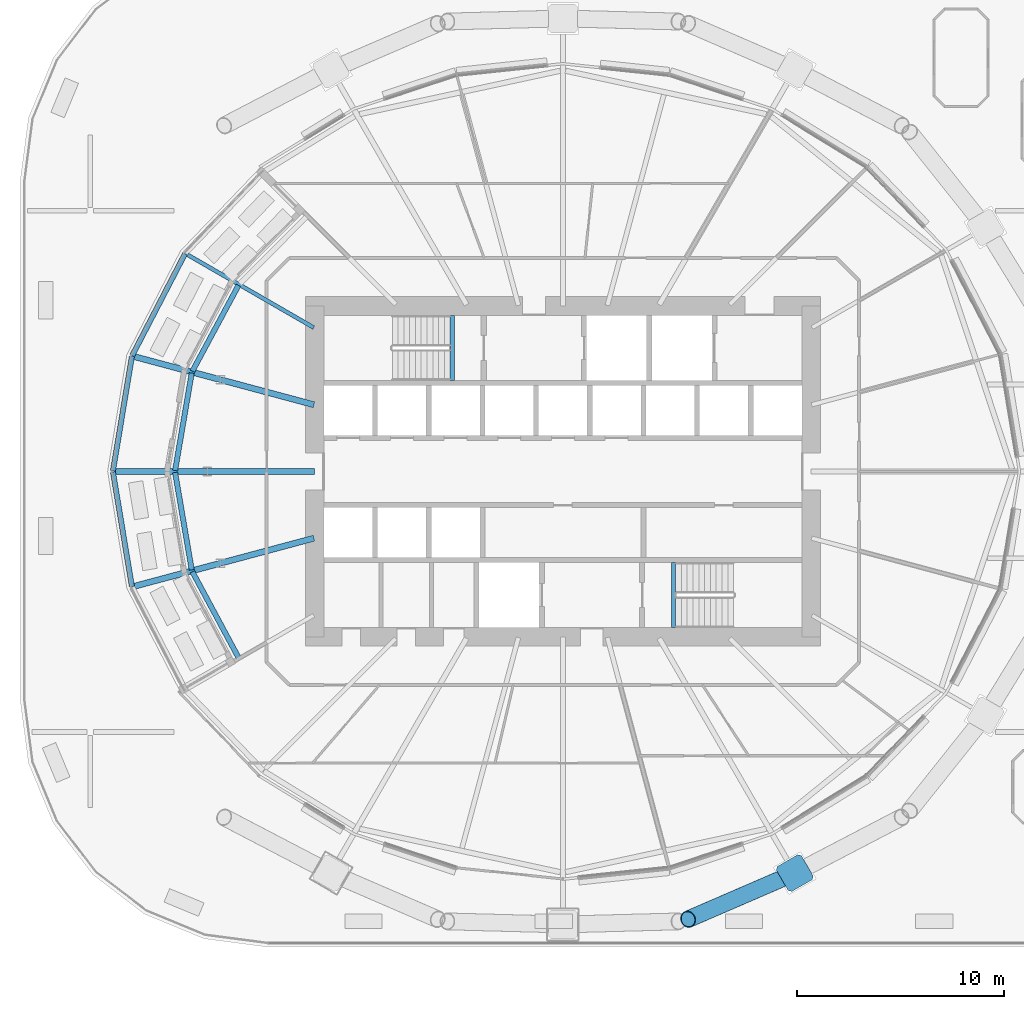
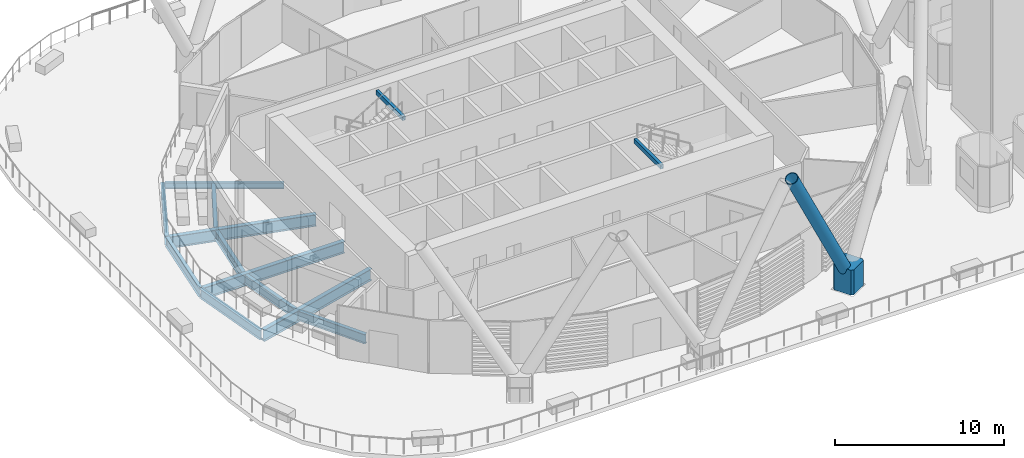
# One storey, part 5 of 47: 13 beams, 2 members.
"""IFC4 building model written with IfcOpenShell, lengths in metres."""

from ifc_helpers import new_model, si_unit, direction, frame, origin, origin_2d, place, context, subcontext, project, spatial, polyline, hollow_rectangle, hollow_circle, i_section, outline, extrude, material, material_profile, profile_set, type_object, element, save


model = new_model("IFC4")

# Units and contexts
model_context = context("Model", 3, precision=1e-05, world=origin(), true_north=direction((0.0, 1.0)))
body_context = subcontext(model_context, "Body", "Model", "MODEL_VIEW")
ifc_project = project(units=[si_unit("LENGTHUNIT", "METRE"), si_unit("AREAUNIT", "SQUARE_METRE"), si_unit("VOLUMEUNIT", "CUBIC_METRE"), si_unit("PLANEANGLEUNIT", "RADIAN"), si_unit("MASSUNIT", "GRAM", prefix="KILO")], contexts=[model_context])

# Site, building, storey
site_placement = place(None, origin())
site = spatial("IfcSite", under=ifc_project, at=site_placement, CompositionType="ELEMENT")
building_placement = place(site_placement, origin())
building = spatial("IfcBuilding", under=site, at=building_placement, Name="Rimbun Link Towers", CompositionType="ELEMENT")
storey_placement = place(building_placement, frame((0.0, 0.0, 30.0)))
storey = spatial("IfcBuildingStorey", under=building, at=storey_placement, Name="L06", CompositionType="ELEMENT", Elevation=30.0)

# Members
ifc_material_1 = material(Name="Steel S460NH", Category="steel")
ifc_material_profile_1 = material_profile(ifc_material_1, hollow_circle(Radius=0.406494140625, WallThickness=0.0400390625, at=origin_2d()), Name="Diagrid diagonal CHS 813x40")
ifc_profile_set_1 = profile_set([ifc_material_profile_1], Name="Steel S460NH")
member_type_1 = type_object("IfcMemberType", Name="Diagrid diagonal CHS 813x40", PredefinedType="BRACE", material=ifc_profile_set_1)
member_1_placement = place(storey_placement, frame((-20.7626953125, -19.514892578125, 1.33642578125), z_axis=(-0.447630338093, -0.193694931894, 0.872988747795), x_axis=(0.397127145688, -0.917763602546, 0.0)))
element("IfcMember", 1, at=member_1_placement, inside=storey, type_object=member_type_1, Name="Diagrid diagonal T1 L06-L09 20a", PredefinedType="BRACE", context=body_context, shape_type="SweptSolid", body=[
    extrude(hollow_circle(Radius=0.406494140625, WallThickness=0.0400390625, at=origin_2d()), origin(), (0.0, 0.0, 1.0), 11.027587890625),
])
ifc_material_2 = material(Name="Cast steel G20Mn5+QT, Rp0.2 300 MPa", Category="steel")
ifc_material_profile_2 = material_profile(ifc_material_2, outline(polyline([(0.699951171875, -0.570068359375), (0.699951171875, 0.570068359375), (0.570068359375, 0.699951171875), (-0.570068359375, 0.699951171875), (-0.699951171875, 0.570068359375), (-0.699951171875, -0.570068359375), (-0.570068359375, -0.699951171875), (0.570068359375, -0.699951171875), (0.699951171875, -0.570068359375)])), Name="NODE 1400x1400")
ifc_profile_set_2 = profile_set([ifc_material_profile_2], Name="Cast steel G20Mn5+QT, Rp0.2 300 MPa")
member_type_2 = type_object("IfcMemberType", Name="Diagrid node cast 1400", PredefinedType="USERDEFINED", material=ifc_profile_set_2)
member_2_placement = place(storey_placement, frame((-20.538818359375, -19.418212890625, 0.0), z_axis=(0.0, 0.0, 1.0), x_axis=(0.5, -0.866025403784, 0.0)))
element("IfcMember", 2, at=member_2_placement, inside=storey, type_object=member_type_2, Name="Diagrid node L06 20", ObjectType="Diagrid node", PredefinedType="USERDEFINED", context=body_context, shape_type="SweptSolid", body=[
    extrude(outline(polyline([(0.699951171875, -0.570068359375), (0.699951171875, 0.570068359375), (0.570068359375, 0.699951171875), (-0.570068359375, 0.699951171875), (-0.699951171875, 0.570068359375), (-0.699951171875, -0.570068359375), (-0.570068359375, -0.699951171875), (0.570068359375, -0.699951171875), (0.699951171875, -0.570068359375)])), origin(), (0.0, 0.0, 1.0), 1.800048828125),
])

# Beams
ifc_material_3 = material(Name="Steel S355J2", Category="steel")
ifc_material_profile_3 = material_profile(ifc_material_3, hollow_rectangle(XDim=0.199951171875, YDim=0.300048828125, WallThickness=0.011962890625, at=origin_2d()), Name="BOX 300x200x12")
ifc_profile_set_3 = profile_set([ifc_material_profile_3], Name="Steel S355J2")
beam_type_1 = type_object("IfcBeamType", Name="Stair trimmer beam BOX 300x200x12", PredefinedType="BEAM", material=ifc_profile_set_3)
for number, where, z_axis, x_axis, name in (
    (3, (-37.10009765625, 7.550048828125, 3.489990234375), (0.0, -1.0, 0.0), (1.0, 0.0, 0.0), "L06 ST1 stair beam 1"),
    (4, (-26.39990234375, -7.550048828125, 3.489990234375), (0.0, 1.0, 0.0), (-1.0, 0.0, 0.0), "L06 ST2 stair beam 1"),
):
    element("IfcBeam", number, at=place(storey_placement, frame(where, z_axis=z_axis, x_axis=x_axis)), inside=storey, type_object=beam_type_1, Name=name, PredefinedType="BEAM", context=body_context, shape_type="SweptSolid", body=[
        extrude(hollow_rectangle(XDim=0.199951171875, YDim=0.300048828125, WallThickness=0.011962890625, at=origin_2d()), origin(), (0.0, 0.0, 1.0), 3.150146484375),
    ])
ifc_material_4 = material(Name="Steel S355J2", Category="steel")
ifc_material_profile_4 = material_profile(ifc_material_4, i_section(OverallWidth=0.18994140625, OverallDepth=0.453369140625, WebThickness=0.008544921875, FlangeThickness=0.0126953125, at=origin_2d()), Name="UB 457x191x67")
ifc_profile_set_4 = profile_set([ifc_material_profile_4], Name="Steel S355J2")
beam_type_2 = type_object("IfcBeamType", Name="UB 457x191x67", PredefinedType="BEAM", material=ifc_profile_set_4)
beam_1_placement = place(storey_placement, frame((-43.79833984375, 6.9560546875, -0.526611328125), z_axis=(-0.866023453068, 0.500003378725, 0.0), x_axis=(-0.500003378725, -0.866023453068, 0.0)))
element("IfcBeam", 5, at=beam_1_placement, inside=storey, type_object=beam_type_2, Name="Radial beam T1 L06 10", PredefinedType="BEAM", context=body_context, shape_type="SweptSolid", body=[
    extrude(i_section(OverallWidth=0.18994140625, OverallDepth=0.453369140625, WebThickness=0.008544921875, FlangeThickness=0.0126953125, at=origin_2d()), origin(), (0.0, 0.0, 1.0), 7.04638671875),
])
ifc_material_5 = material(Name="Steel S355J2", Category="steel")
ifc_material_profile_5 = material_profile(ifc_material_5, i_section(OverallWidth=0.253662109375, OverallDepth=0.68359375, WebThickness=0.012451171875, FlangeThickness=0.01904296875, at=origin_2d()), Name="UB 686x254x140")
ifc_profile_set_5 = profile_set([ifc_material_profile_5], Name="Steel S355J2")
beam_type_3 = type_object("IfcBeamType", Name="UB 686x254x140", PredefinedType="BEAM", material=ifc_profile_set_5)
beam_2_placement = place(storey_placement, frame((-47.4375, 8.996826171875, -0.641845703125), z_axis=(-0.473122165073, -0.880996831389, 0.0), x_axis=(0.880996831389, -0.473122165073, 0.0)))
element("IfcBeam", 6, at=beam_2_placement, inside=storey, type_object=beam_type_3, Name="Edge beam T1 L06 10 recess", PredefinedType="BEAM", context=body_context, shape_type="SweptSolid", body=[
    extrude(i_section(OverallWidth=0.253662109375, OverallDepth=0.68359375, WebThickness=0.012451171875, FlangeThickness=0.01904296875, at=origin_2d()), origin(), (0.0, 0.0, 1.0), 4.70703125),
])
beam_3_placement = place(storey_placement, frame((-50.020751953125, 10.5263671875, -0.641845703125), z_axis=(-0.460697296519, -0.887557322645, 0.0), x_axis=(0.887557322645, -0.460697296519, 0.0)))
element("IfcBeam", 7, at=beam_3_placement, inside=storey, type_object=beam_type_3, Name="Edge beam T1 L06 10 terrace", PredefinedType="BEAM", context=body_context, shape_type="SweptSolid", body=[
    extrude(i_section(OverallWidth=0.253662109375, OverallDepth=0.68359375, WebThickness=0.012451171875, FlangeThickness=0.01904296875, at=origin_2d()), origin(), (0.0, 0.0, 1.0), 5.54833984375),
])
beam_4_placement = place(storey_placement, frame((-49.6962890625, 4.7578125, -0.641845703125), z_axis=(-0.168399384391, -0.985718848017, 0.0), x_axis=(0.985718848017, -0.168399384391, 0.0)))
element("IfcBeam", 8, at=beam_4_placement, inside=storey, type_object=beam_type_3, Name="Edge beam T1 L06 11 recess", PredefinedType="BEAM", context=body_context, shape_type="SweptSolid", body=[
    extrude(i_section(OverallWidth=0.253662109375, OverallDepth=0.68359375, WebThickness=0.012451171875, FlangeThickness=0.01904296875, at=origin_2d()), origin(), (0.0, 0.0, 1.0), 4.778564453125),
])
beam_5_placement = place(storey_placement, frame((-52.590087890625, 5.562255859375, -0.641845703125), z_axis=(-0.163073449267, -0.986613931659, 0.0), x_axis=(0.986613931659, -0.163073449267, 0.0)))
element("IfcBeam", 9, at=beam_5_placement, inside=storey, type_object=beam_type_3, Name="Edge beam T1 L06 11 terrace", PredefinedType="BEAM", context=body_context, shape_type="SweptSolid", body=[
    extrude(i_section(OverallWidth=0.253662109375, OverallDepth=0.68359375, WebThickness=0.012451171875, FlangeThickness=0.01904296875, at=origin_2d()), origin(), (0.0, 0.0, 1.0), 5.61572265625),
])
beam_6_placement = place(storey_placement, frame((-50.5009765625, -0.047607421875, -0.641845703125), z_axis=(0.168399384391, -0.985718848017, 0.0), x_axis=(0.985718848017, 0.168399384391, 0.0)))
element("IfcBeam", 10, at=beam_6_placement, inside=storey, type_object=beam_type_3, Name="Edge beam T1 L06 12 recess", PredefinedType="BEAM", context=body_context, shape_type="SweptSolid", body=[
    extrude(i_section(OverallWidth=0.253662109375, OverallDepth=0.68359375, WebThickness=0.012451171875, FlangeThickness=0.01904296875, at=origin_2d()), origin(), (0.0, 0.0, 1.0), 4.778564453125),
])
beam_7_placement = place(storey_placement, frame((-53.505859375, -0.021728515625, -0.641845703125), z_axis=(0.163073449267, -0.986613931659, 0.0), x_axis=(0.986613931659, 0.163073449267, 0.0)))
element("IfcBeam", 11, at=beam_7_placement, inside=storey, type_object=beam_type_3, Name="Edge beam T1 L06 12 terrace", PredefinedType="BEAM", context=body_context, shape_type="SweptSolid", body=[
    extrude(i_section(OverallWidth=0.253662109375, OverallDepth=0.68359375, WebThickness=0.012451171875, FlangeThickness=0.01904296875, at=origin_2d()), origin(), (0.0, 0.0, 1.0), 5.61572265625),
])
beam_8_placement = place(storey_placement, frame((-49.66455078125, -4.849853515625, -0.641845703125), z_axis=(0.473122165073, -0.880996831389, 0.0), x_axis=(0.880996831389, 0.473122165073, 0.0)))
element("IfcBeam", 12, at=beam_8_placement, inside=storey, type_object=beam_type_3, Name="Edge beam T1 L06 13 recess", PredefinedType="BEAM", context=body_context, shape_type="SweptSolid", body=[
    extrude(i_section(OverallWidth=0.253662109375, OverallDepth=0.68359375, WebThickness=0.012451171875, FlangeThickness=0.01904296875, at=origin_2d()), origin(), (0.0, 0.0, 1.0), 4.70703125),
])
ifc_material_6 = material(Name="Steel S355J2", Category="steel")
ifc_material_profile_6 = material_profile(ifc_material_6, i_section(OverallWidth=0.29248046875, OverallDepth=0.8408203125, WebThickness=0.0126953125, FlangeThickness=0.021728515625, at=origin_2d()), Name="UB 838x292x194")
ifc_profile_set_6 = profile_set([ifc_material_profile_6], Name="Steel S355J2")
beam_type_4 = type_object("IfcBeamType", Name="UB 838x292x194", PredefinedType="BEAM", material=ifc_profile_set_6)
beam_9_placement = place(storey_placement, frame((-43.788818359375, 3.225830078125, -0.72021484375), z_axis=(-0.96592560103, 0.258819885778, 0.0), x_axis=(-0.258819885778, -0.96592560103, 0.0)))
element("IfcBeam", 13, at=beam_9_placement, inside=storey, type_object=beam_type_4, Name="Radial beam T1 L06 11", PredefinedType="BEAM", context=body_context, shape_type="SweptSolid", body=[
    extrude(i_section(OverallWidth=0.29248046875, OverallDepth=0.8408203125, WebThickness=0.0126953125, FlangeThickness=0.021728515625, at=origin_2d()), origin(), (0.0, 0.0, 1.0), 8.97998046875),
])
beam_10_placement = place(storey_placement, frame((-43.7509765625, 0.0, -0.72021484375), z_axis=(-1.0, 0.0, 0.0), x_axis=(0.0, -1.0, 0.0)))
element("IfcBeam", 14, at=beam_10_placement, inside=storey, type_object=beam_type_4, Name="Radial beam T1 L06 12", PredefinedType="BEAM", context=body_context, shape_type="SweptSolid", body=[
    extrude(i_section(OverallWidth=0.29248046875, OverallDepth=0.8408203125, WebThickness=0.0126953125, FlangeThickness=0.021728515625, at=origin_2d()), origin(), (0.0, 0.0, 1.0), 9.630615234375),
])
beam_11_placement = place(storey_placement, frame((-43.788818359375, -3.225830078125, -0.72021484375), z_axis=(-0.96592560103, -0.258819885778, 0.0), x_axis=(0.258819885778, -0.96592560103, 0.0)))
element("IfcBeam", 15, at=beam_11_placement, inside=storey, type_object=beam_type_4, Name="Radial beam T1 L06 13", PredefinedType="BEAM", context=body_context, shape_type="SweptSolid", body=[
    extrude(i_section(OverallWidth=0.29248046875, OverallDepth=0.8408203125, WebThickness=0.0126953125, FlangeThickness=0.021728515625, at=origin_2d()), origin(), (0.0, 0.0, 1.0), 8.97998046875),
])

save(model, "model.ifc")
